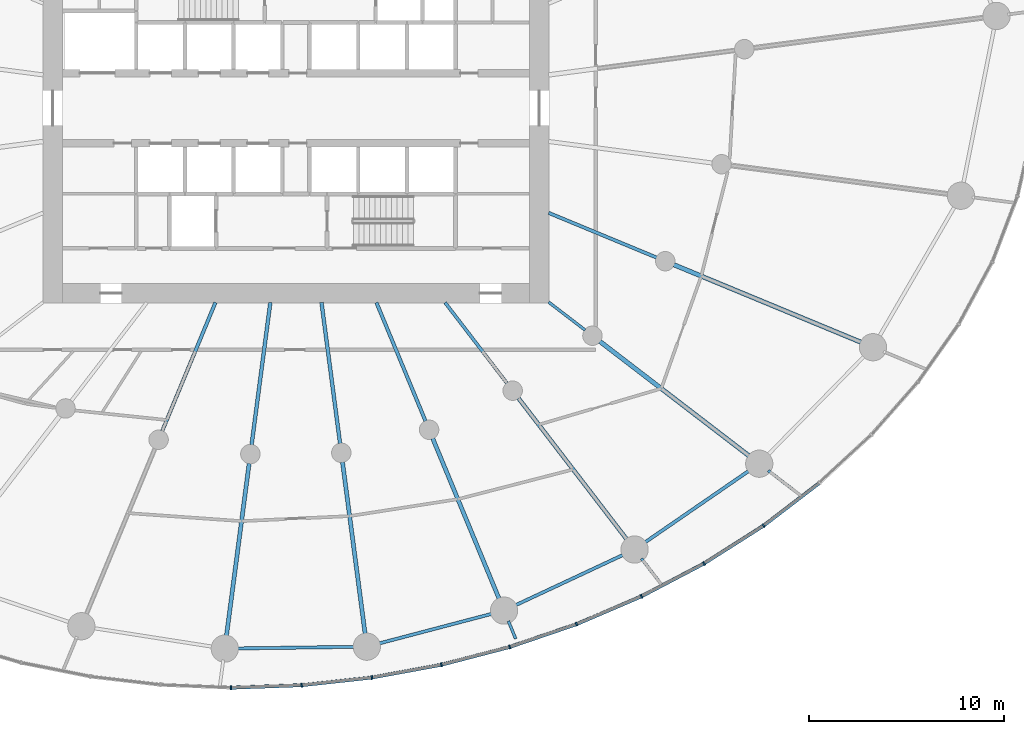
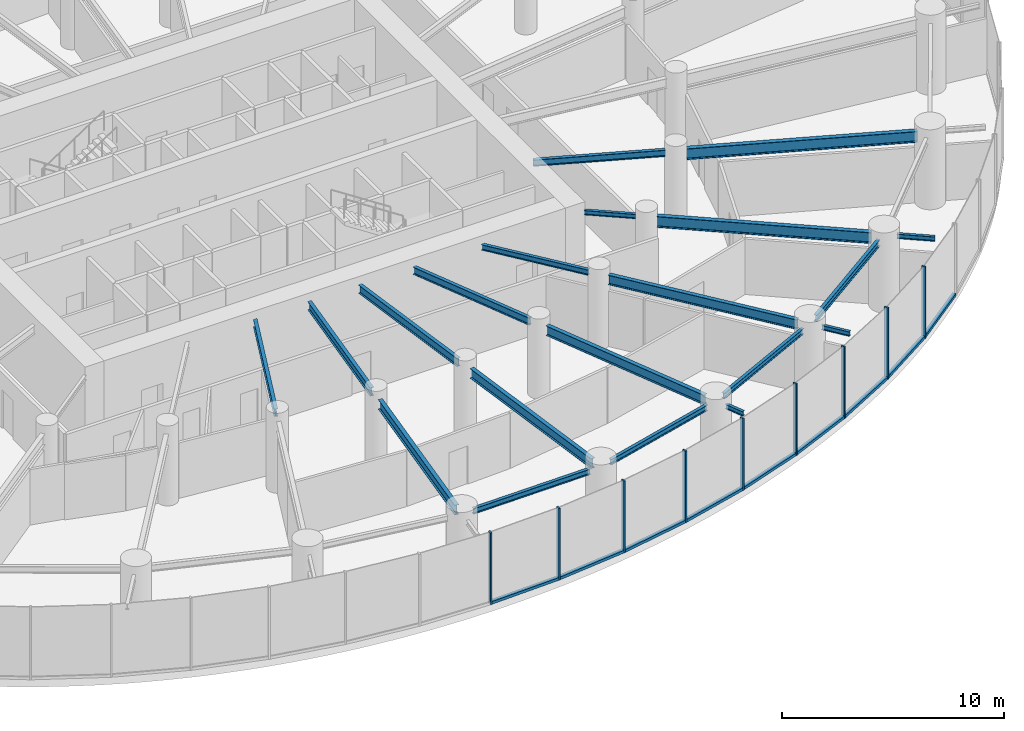
# One storey, part 4 of 19: 20 beams, 18 members, 2 elements without a shape of their own.
"""IFC4 building model written with IfcOpenShell, lengths in metres."""

from ifc_helpers import new_model, si_unit, direction, frame, origin, origin_2d, place, context, subcontext, project, spatial, rectangle, i_section, extrude, source, transform, mapped, material, layer, layer_set, material_profile, profile_set, type_object, element, aggregate, save


model = new_model("IFC4")

# Units and contexts
model_context = context("Model", 3, precision=1e-05, world=origin(), true_north=direction((0.0, 1.0)))
body_context = subcontext(model_context, "Body", "Model", "MODEL_VIEW")
ifc_project = project(units=[si_unit("LENGTHUNIT", "METRE"), si_unit("AREAUNIT", "SQUARE_METRE"), si_unit("VOLUMEUNIT", "CUBIC_METRE"), si_unit("PLANEANGLEUNIT", "RADIAN"), si_unit("MASSUNIT", "GRAM", prefix="KILO")], contexts=[model_context])

# Site, building, storey
site_placement = place(None, origin())
site = spatial("IfcSite", under=ifc_project, at=site_placement, CompositionType="ELEMENT")
building_placement = place(site_placement, origin())
building = spatial("IfcBuilding", under=site, at=building_placement, Name="Spindrift Exchange Tower", CompositionType="ELEMENT")
storey_placement = place(building_placement, frame((0.0, 0.0, 53.39990234375)))
storey = spatial("IfcBuildingStorey", under=building, at=storey_placement, Name="L12", CompositionType="ELEMENT", Elevation=53.39990234375)

# Beams
ifc_material_1 = material(Name="Steel Grade 300", Category="steel")
ifc_material_profile_1 = material_profile(ifc_material_1, i_section(OverallWidth=0.177978515625, OverallDepth=0.406005859375, WebThickness=0.0078125, FlangeThickness=0.0126953125, FilletRadius=0.013916015625, at=origin_2d()), Name="410UB59.7")
ifc_profile_set_1 = profile_set([ifc_material_profile_1], Name="Steel Grade 300")
beam_type_1 = type_object("IfcBeamType", Name="Floor Beam 410UB59.7 Steel Grade 300", PredefinedType="BEAM", material=ifc_profile_set_1)
shared_shape_1 = source(origin(), body_context, "Body", "SweptSolid", [
    extrude(i_section(OverallWidth=0.177978515625, OverallDepth=0.406005859375, WebThickness=0.0078125, FlangeThickness=0.0126953125, FilletRadius=0.013916015625, at=origin_2d()), origin(), (0.0, 0.0, 1.0), 7.150634765625),
])
beam_1_placement = place(storey_placement, frame((47.865478515625, 38.0185546875, 3.7470703125), z_axis=(-0.382665393358, -0.923887004306, 0.0), x_axis=(0.923887004306, -0.382665393358, 0.0)))
element("IfcBeam", 1, at=beam_1_placement, inside=storey, type_object=beam_type_1, Name="L12 radial beam R17A", PredefinedType="BEAM", context=body_context, shape_type="MappedRepresentation", body=[
    mapped(shared_shape_1, transform((0.0, 0.0, 0.0), scale=1.0)),
])
ifc_material_profile_2 = material_profile(ifc_material_1, i_section(OverallWidth=0.18994140625, OverallDepth=0.45703125, WebThickness=0.009033203125, FlangeThickness=0.014404296875, FilletRadius=0.013916015625, at=origin_2d()), Name="460UB74.6")
ifc_profile_set_2 = profile_set([ifc_material_profile_2], Name="Steel Grade 300")
beam_type_2 = type_object("IfcBeamType", Name="Floor Beam 460UB74.6 Steel Grade 300", PredefinedType="BEAM", material=ifc_profile_set_2)
shared_shape_2 = source(origin(), body_context, "Body", "SweptSolid", [
    extrude(i_section(OverallWidth=0.18994140625, OverallDepth=0.45703125, WebThickness=0.009033203125, FlangeThickness=0.014404296875, FilletRadius=0.013916015625, at=origin_2d()), origin(), (0.0, 0.0, 1.0), 7.374267578125),
])
beam_2_placement = place(storey_placement, frame((50.68603515625, 38.019775390625, 3.7216796875), z_axis=(-0.130539295622, -0.99144313619, 0.0), x_axis=(0.99144313619, -0.130539295622, 0.0)))
element("IfcBeam", 2, at=beam_2_placement, inside=storey, type_object=beam_type_2, Name="L12 radial beam R18A", PredefinedType="BEAM", context=body_context, shape_type="MappedRepresentation", body=[
    mapped(shared_shape_2, transform((0.0, 0.0, 0.0), scale=1.0)),
])
ifc_material_profile_3 = material_profile(ifc_material_1, i_section(OverallWidth=0.208984375, OverallDepth=0.532958984375, WebThickness=0.01025390625, FlangeThickness=0.015625, FilletRadius=0.013916015625, at=origin_2d()), Name="530UB92.4")
ifc_profile_set_3 = profile_set([ifc_material_profile_3], Name="Steel Grade 300")
beam_type_3 = type_object("IfcBeamType", Name="Floor Beam 530UB92.4 Steel Grade 300", PredefinedType="BEAM", material=ifc_profile_set_3)
shared_shape_3 = source(origin(), body_context, "Body", "SweptSolid", [
    extrude(i_section(OverallWidth=0.208984375, OverallDepth=0.532958984375, WebThickness=0.01025390625, FlangeThickness=0.015625, FilletRadius=0.013916015625, at=origin_2d()), origin(), (0.0, 0.0, 1.0), 9.020263671875),
])
beam_3_placement = place(storey_placement, frame((49.59814453125, 29.7568359375, 3.68359375), z_axis=(-0.13051122338, -0.991446831944, 0.0), x_axis=(0.991446831944, -0.13051122338, 0.0)))
element("IfcBeam", 3, at=beam_3_placement, inside=storey, type_object=beam_type_3, Name="L12 radial beam R18B", PredefinedType="BEAM", context=body_context, shape_type="MappedRepresentation", body=[
    mapped(shared_shape_3, transform((0.0, 0.0, 0.0), scale=1.0)),
])
shared_shape_4 = source(origin(), body_context, "Body", "SweptSolid", [
    extrude(i_section(OverallWidth=0.18994140625, OverallDepth=0.45703125, WebThickness=0.009033203125, FlangeThickness=0.014404296875, FilletRadius=0.013916015625, at=origin_2d()), origin(), (0.0, 0.0, 1.0), 7.3095703125),
])
beam_4_placement = place(storey_placement, frame((53.31396484375, 38.019775390625, 3.7216796875), z_axis=(0.130527087244, -0.991444743541, 0.0), x_axis=(0.991444743541, 0.130527087244, 0.0)))
element("IfcBeam", 4, at=beam_4_placement, inside=storey, type_object=beam_type_2, Name="L12 radial beam R19A", PredefinedType="BEAM", context=body_context, shape_type="MappedRepresentation", body=[
    mapped(shared_shape_4, transform((0.0, 0.0, 0.0), scale=1.0)),
])
shared_shape_5 = source(origin(), body_context, "Body", "SweptSolid", [
    extrude(i_section(OverallWidth=0.208984375, OverallDepth=0.532958984375, WebThickness=0.01025390625, FlangeThickness=0.015625, FilletRadius=0.013916015625, at=origin_2d()), origin(), (0.0, 0.0, 1.0), 8.98388671875),
])
beam_5_placement = place(storey_placement, frame((54.393310546875, 29.82080078125, 3.68359375), z_axis=(0.130524106785, -0.991445135924, 0.0), x_axis=(0.991445135924, 0.130524106785, 0.0)))
element("IfcBeam", 5, at=beam_5_placement, inside=storey, type_object=beam_type_3, Name="L12 radial beam R19B", PredefinedType="BEAM", context=body_context, shape_type="MappedRepresentation", body=[
    mapped(shared_shape_5, transform((0.0, 0.0, 0.0), scale=1.0)),
])
shared_shape_6 = source(origin(), body_context, "Body", "SweptSolid", [
    extrude(i_section(OverallWidth=0.177978515625, OverallDepth=0.406005859375, WebThickness=0.0078125, FlangeThickness=0.0126953125, FilletRadius=0.013916015625, at=origin_2d()), origin(), (0.0, 0.0, 1.0), 6.594482421875),
])
beam_6_placement = place(storey_placement, frame((56.134521484375, 38.0185546875, 3.7470703125), z_axis=(0.382692929746, -0.92387559851, 0.0), x_axis=(0.92387559851, 0.382692929746, 0.0)))
element("IfcBeam", 6, at=beam_6_placement, inside=storey, type_object=beam_type_1, Name="L12 radial beam R20A", PredefinedType="BEAM", context=body_context, shape_type="MappedRepresentation", body=[
    mapped(shared_shape_6, transform((0.0, 0.0, 0.0), scale=1.0)),
])
shared_shape_7 = source(origin(), body_context, "Body", "SweptSolid", [
    extrude(i_section(OverallWidth=0.208984375, OverallDepth=0.532958984375, WebThickness=0.01025390625, FlangeThickness=0.015625, FilletRadius=0.013916015625, at=origin_2d()), origin(), (0.0, 0.0, 1.0), 8.99658203125),
])
beam_7_placement = place(storey_placement, frame((59.025390625, 31.0390625, 3.68359375), z_axis=(0.382685731718, -0.923878580085, 0.0), x_axis=(0.923878580085, 0.382685731718, 0.0)))
element("IfcBeam", 7, at=beam_7_placement, inside=storey, type_object=beam_type_3, Name="L12 radial beam R20B", PredefinedType="BEAM", context=body_context, shape_type="MappedRepresentation", body=[
    mapped(shared_shape_7, transform((0.0, 0.0, 0.0), scale=1.0)),
])
ifc_material_profile_4 = material_profile(ifc_material_1, i_section(OverallWidth=0.1650390625, OverallDepth=0.303955078125, WebThickness=0.006103515625, FlangeThickness=0.01025390625, FilletRadius=0.011474609375, at=origin_2d()), Name="310UB40.4")
ifc_profile_set_4 = profile_set([ifc_material_profile_4], Name="Steel Grade 300")
beam_type_4 = type_object("IfcBeamType", Name="Floor Beam 310UB40.4 Steel Grade 300", PredefinedType="BEAM", material=ifc_profile_set_4)
shared_shape_8 = source(origin(), body_context, "Body", "SweptSolid", [
    extrude(i_section(OverallWidth=0.1650390625, OverallDepth=0.303955078125, WebThickness=0.006103515625, FlangeThickness=0.01025390625, FilletRadius=0.011474609375, at=origin_2d()), origin(), (0.0, 0.0, 1.0), 5.224609375),
])
beam_8_placement = place(storey_placement, frame((59.6611328125, 38.015869140625, 3.798095703125), z_axis=(0.608741499316, -0.793368632485, 0.0), x_axis=(0.793368632485, 0.608741499316, 0.0)))
element("IfcBeam", 8, at=beam_8_placement, inside=storey, type_object=beam_type_4, Name="L12 radial beam R21A", PredefinedType="BEAM", context=body_context, shape_type="MappedRepresentation", body=[
    mapped(shared_shape_8, transform((0.0, 0.0, 0.0), scale=1.0)),
])
shared_shape_9 = source(origin(), body_context, "Body", "SweptSolid", [
    extrude(i_section(OverallWidth=0.208984375, OverallDepth=0.532958984375, WebThickness=0.01025390625, FlangeThickness=0.015625, FilletRadius=0.013916015625, at=origin_2d()), origin(), (0.0, 0.0, 1.0), 9.227783203125),
])
beam_9_placement = place(storey_placement, frame((63.426025390625, 33.109375, 3.68359375), z_axis=(0.608747534474, -0.79336400175, 0.0), x_axis=(0.79336400175, 0.608747534474, 0.0)))
element("IfcBeam", 9, at=beam_9_placement, inside=storey, type_object=beam_type_3, Name="L12 radial beam R21B", PredefinedType="BEAM", context=body_context, shape_type="MappedRepresentation", body=[
    mapped(shared_shape_9, transform((0.0, 0.0, 0.0), scale=1.0)),
])
ifc_material_profile_5 = material_profile(ifc_material_1, i_section(OverallWidth=0.14599609375, OverallDepth=0.251953125, WebThickness=0.006103515625, FlangeThickness=0.008544921875, FilletRadius=0.011962890625, at=origin_2d()), Name="250UB31.4")
ifc_profile_set_5 = profile_set([ifc_material_profile_5], Name="Steel Grade 300")
beam_type_5 = type_object("IfcBeamType", Name="Floor Beam 250UB31.4 Steel Grade 300", PredefinedType="BEAM", material=ifc_profile_set_5)
shared_shape_10 = source(origin(), body_context, "Body", "SweptSolid", [
    extrude(i_section(OverallWidth=0.14599609375, OverallDepth=0.251953125, WebThickness=0.006103515625, FlangeThickness=0.008544921875, FilletRadius=0.011962890625, at=origin_2d()), origin(), (0.0, 0.0, 1.0), 2.353759765625),
])
beam_10_placement = place(storey_placement, frame((64.984130859375, 38.036865234375, 3.82421875), z_axis=(0.793367573265, -0.608742879787, 0.0), x_axis=(0.608742879787, 0.793367573265, 0.0)))
element("IfcBeam", 10, at=beam_10_placement, inside=storey, type_object=beam_type_5, Name="L12 radial beam R22A", PredefinedType="BEAM", context=body_context, shape_type="MappedRepresentation", body=[
    mapped(shared_shape_10, transform((0.0, 0.0, 0.0), scale=1.0)),
])
ifc_material_profile_6 = material_profile(ifc_material_1, i_section(OverallWidth=0.22802734375, OverallDepth=0.60693359375, WebThickness=0.01123046875, FlangeThickness=0.017333984375, FilletRadius=0.013916015625, at=origin_2d()), Name="610UB113")
ifc_profile_set_6 = profile_set([ifc_material_profile_6], Name="Steel Grade 300")
beam_type_6 = type_object("IfcBeamType", Name="Floor Beam 610UB113 Steel Grade 300", PredefinedType="BEAM", material=ifc_profile_set_6)
shared_shape_11 = source(origin(), body_context, "Body", "SweptSolid", [
    extrude(i_section(OverallWidth=0.22802734375, OverallDepth=0.60693359375, WebThickness=0.01123046875, FlangeThickness=0.017333984375, FilletRadius=0.013916015625, at=origin_2d()), origin(), (0.0, 0.0, 1.0), 9.73974609375),
])
beam_11_placement = place(storey_placement, frame((67.61328125, 36.01953125, 3.646484375), z_axis=(0.793352119621, -0.608763019814, 0.0), x_axis=(0.608763019814, 0.793352119621, 0.0)))
element("IfcBeam", 11, at=beam_11_placement, inside=storey, type_object=beam_type_6, Name="L12 radial beam R22B", PredefinedType="BEAM", context=body_context, shape_type="MappedRepresentation", body=[
    mapped(shared_shape_11, transform((0.0, 0.0, 0.0), scale=1.0)),
])
ifc_material_profile_7 = material_profile(ifc_material_1, i_section(OverallWidth=0.172119140625, OverallDepth=0.35888671875, WebThickness=0.008056640625, FlangeThickness=0.012939453125, FilletRadius=0.013916015625, at=origin_2d()), Name="360UB56.7")
ifc_profile_set_7 = profile_set([ifc_material_profile_7], Name="Steel Grade 300")
beam_type_7 = type_object("IfcBeamType", Name="Floor Beam 360UB56.7 Steel Grade 300", PredefinedType="BEAM", material=ifc_profile_set_7)
shared_shape_12 = source(origin(), body_context, "Body", "SweptSolid", [
    extrude(i_section(OverallWidth=0.172119140625, OverallDepth=0.35888671875, WebThickness=0.008056640625, FlangeThickness=0.012939453125, FilletRadius=0.013916015625, at=origin_2d()), origin(), (0.0, 0.0, 1.0), 6.004638671875),
])
beam_12_placement = place(storey_placement, frame((64.9814453125, 42.622802734375, 3.7705078125), z_axis=(0.923882044911, -0.38267736684, 0.0), x_axis=(0.38267736684, 0.923882044911, 0.0)))
element("IfcBeam", 12, at=beam_12_placement, inside=storey, type_object=beam_type_7, Name="L12 radial beam R23A", PredefinedType="BEAM", context=body_context, shape_type="MappedRepresentation", body=[
    mapped(shared_shape_12, transform((0.0, 0.0, 0.0), scale=1.0)),
])
shared_shape_13 = source(origin(), body_context, "Body", "SweptSolid", [
    extrude(i_section(OverallWidth=0.22802734375, OverallDepth=0.60693359375, WebThickness=0.01123046875, FlangeThickness=0.017333984375, FilletRadius=0.013916015625, at=origin_2d()), origin(), (0.0, 0.0, 1.0), 10.4912109375),
])
beam_13_placement = place(storey_placement, frame((71.416015625, 39.95751953125, 3.646484375), z_axis=(0.923885231151, -0.382669674342, 0.0), x_axis=(0.382669674342, 0.923885231151, 0.0)))
element("IfcBeam", 13, at=beam_13_placement, inside=storey, type_object=beam_type_6, Name="L12 radial beam R23B", PredefinedType="BEAM", context=body_context, shape_type="MappedRepresentation", body=[
    mapped(shared_shape_13, transform((0.0, 0.0, 0.0), scale=1.0)),
])
ifc_material_profile_8 = material_profile(ifc_material_1, i_section(OverallWidth=0.1650390625, OverallDepth=0.303955078125, WebThickness=0.006103515625, FlangeThickness=0.01025390625, FilletRadius=0.011474609375, at=origin_2d()), Name="310UB40.4")
ifc_profile_set_8 = profile_set([ifc_material_profile_8], Name="Steel Grade 300")
beam_type_8 = type_object("IfcBeamType", Name="Edge Beam 310UB40.4 Steel Grade 300", PredefinedType="SPANDREL", material=ifc_profile_set_8)
shared_shape_14 = source(origin(), body_context, "Body", "SweptSolid", [
    extrude(i_section(OverallWidth=0.1650390625, OverallDepth=0.303955078125, WebThickness=0.006103515625, FlangeThickness=0.01025390625, FilletRadius=0.011474609375, at=origin_2d()), origin(), (0.0, 0.0, 1.0), 6.13720703125),
])
beam_14_placement = place(storey_placement, frame((48.925048828125, 20.24658203125, 3.798095703125), z_axis=(0.999905820907, 0.013724041543, 0.0), x_axis=(-0.013724041543, 0.999905820907, 0.0)))
element("IfcBeam", 14, at=beam_14_placement, inside=storey, type_object=beam_type_8, Name="L12 edge beam E18", PredefinedType="SPANDREL", context=body_context, shape_type="MappedRepresentation", body=[
    mapped(shared_shape_14, transform((0.0, 0.0, 0.0), scale=1.0)),
])
shared_shape_15 = source(origin(), body_context, "Body", "SweptSolid", [
    extrude(i_section(OverallWidth=0.1650390625, OverallDepth=0.303955078125, WebThickness=0.006103515625, FlangeThickness=0.01025390625, FilletRadius=0.011474609375, at=origin_2d()), origin(), (0.0, 0.0, 1.0), 6.128173828125),
])
beam_15_placement = place(storey_placement, frame((56.20263671875, 20.486083984375, 3.798095703125), z_axis=(0.967147261855, 0.254216785216, 0.0), x_axis=(-0.254216785216, 0.967147261855, 0.0)))
element("IfcBeam", 15, at=beam_15_placement, inside=storey, type_object=beam_type_8, Name="L12 edge beam E19", PredefinedType="SPANDREL", context=body_context, shape_type="MappedRepresentation", body=[
    mapped(shared_shape_15, transform((0.0, 0.0, 0.0), scale=1.0)),
])
shared_shape_16 = source(origin(), body_context, "Body", "SweptSolid", [
    extrude(i_section(OverallWidth=0.1650390625, OverallDepth=0.303955078125, WebThickness=0.006103515625, FlangeThickness=0.01025390625, FilletRadius=0.011474609375, at=origin_2d()), origin(), (0.0, 0.0, 1.0), 6.243408203125),
])
beam_16_placement = place(storey_placement, frame((63.2158203125, 22.43701171875, 3.798095703125), z_axis=(0.905791146607, 0.423724437257, 0.0), x_axis=(-0.423724437257, 0.905791146607, 0.0)))
element("IfcBeam", 16, at=beam_16_placement, inside=storey, type_object=beam_type_8, Name="L12 edge beam E20", PredefinedType="SPANDREL", context=body_context, shape_type="MappedRepresentation", body=[
    mapped(shared_shape_16, transform((0.0, 0.0, 0.0), scale=1.0)),
])
ifc_material_profile_9 = material_profile(ifc_material_1, i_section(OverallWidth=0.172119140625, OverallDepth=0.35888671875, WebThickness=0.008056640625, FlangeThickness=0.012939453125, FilletRadius=0.013916015625, at=origin_2d()), Name="360UB56.7")
ifc_profile_set_9 = profile_set([ifc_material_profile_9], Name="Steel Grade 300")
beam_type_9 = type_object("IfcBeamType", Name="Edge Beam 360UB56.7 Steel Grade 300", PredefinedType="SPANDREL", material=ifc_profile_set_9)
shared_shape_17 = source(origin(), body_context, "Body", "SweptSolid", [
    extrude(i_section(OverallWidth=0.172119140625, OverallDepth=0.35888671875, WebThickness=0.008056640625, FlangeThickness=0.012939453125, FilletRadius=0.013916015625, at=origin_2d()), origin(), (0.0, 0.0, 1.0), 6.614990234375),
])
beam_17_placement = place(storey_placement, frame((69.874267578125, 25.6572265625, 3.7705078125), z_axis=(0.823690708835, 0.567039342708, 0.0), x_axis=(-0.567039342708, 0.823690708835, 0.0)))
element("IfcBeam", 17, at=beam_17_placement, inside=storey, type_object=beam_type_9, Name="L12 edge beam E21", PredefinedType="SPANDREL", context=body_context, shape_type="MappedRepresentation", body=[
    mapped(shared_shape_17, transform((0.0, 0.0, 0.0), scale=1.0)),
])
ifc_material_profile_10 = material_profile(ifc_material_1, i_section(OverallWidth=0.14599609375, OverallDepth=0.251953125, WebThickness=0.006103515625, FlangeThickness=0.008544921875, FilletRadius=0.011962890625, at=origin_2d()), Name="250UB31.4")
ifc_profile_set_10 = profile_set([ifc_material_profile_10], Name="Steel Grade 300")
beam_type_10 = type_object("IfcBeamType", Name="Cantilever Beam 250UB31.4 Steel Grade 300", PredefinedType="BEAM", material=ifc_profile_set_10)
shared_shape_18 = source(origin(), body_context, "Body", "SweptSolid", [
    extrude(i_section(OverallWidth=0.14599609375, OverallDepth=0.251953125, WebThickness=0.006103515625, FlangeThickness=0.008544921875, FilletRadius=0.011962890625, at=origin_2d()), origin(), (0.0, 0.0, 1.0), 0.98974609375),
])
beam_18_placement = place(storey_placement, frame((62.912109375, 21.655517578125, 3.82421875), z_axis=(0.382845596714, -0.923812345164, 0.0), x_axis=(0.923812345164, 0.382845596714, 0.0)))
element("IfcBeam", 18, at=beam_18_placement, inside=storey, type_object=beam_type_10, Name="L12 cantilever beam R20T", PredefinedType="BEAM", context=body_context, shape_type="MappedRepresentation", body=[
    mapped(shared_shape_18, transform((0.0, 0.0, 0.0), scale=1.0)),
])
shared_shape_19 = source(origin(), body_context, "Body", "SweptSolid", [
    extrude(i_section(OverallWidth=0.14599609375, OverallDepth=0.251953125, WebThickness=0.006103515625, FlangeThickness=0.008544921875, FilletRadius=0.011962890625, at=origin_2d()), origin(), (0.0, 0.0, 1.0), 1.373046875),
])
beam_19_placement = place(storey_placement, frame((69.749755859375, 24.8681640625, 3.82421875), z_axis=(0.608782353337, -0.793337284051, 0.0), x_axis=(0.793337284051, 0.608782353337, 0.0)))
element("IfcBeam", 19, at=beam_19_placement, inside=storey, type_object=beam_type_10, Name="L12 cantilever beam R21T", PredefinedType="BEAM", context=body_context, shape_type="MappedRepresentation", body=[
    mapped(shared_shape_19, transform((0.0, 0.0, 0.0), scale=1.0)),
])
shared_shape_20 = source(origin(), body_context, "Body", "SweptSolid", [
    extrude(i_section(OverallWidth=0.14599609375, OverallDepth=0.251953125, WebThickness=0.006103515625, FlangeThickness=0.008544921875, FilletRadius=0.011962890625, at=origin_2d()), origin(), (0.0, 0.0, 1.0), 1.7275390625),
])
beam_20_placement = place(storey_placement, frame((76.2607421875, 29.384033203125, 3.82421875), z_axis=(0.793406147217, -0.608692603502, 0.0), x_axis=(0.608692603502, 0.793406147217, 0.0)))
element("IfcBeam", 20, at=beam_20_placement, inside=storey, type_object=beam_type_10, Name="L12 cantilever beam R22T", PredefinedType="BEAM", context=body_context, shape_type="MappedRepresentation", body=[
    mapped(shared_shape_20, transform((0.0, 0.0, 0.0), scale=1.0)),
])

# Curtain wall, member
ifc_material_2 = material(Name="Fritted laminated glass with bronze frame", Category="glass")
ifc_layer = layer(ifc_material_2, 0.199951171875)
ifc_layer_set = layer_set([ifc_layer], Name="ZONE 1 BRONZE FRITTED WALL")
curtain_wall_type = type_object("IfcCurtainWallType", Name="ZONE 1 BRONZE FRITTED WALL", PredefinedType="NOTDEFINED", material=ifc_layer_set)
curtain_wall_1_placement = place(storey_placement, origin())
curtain_wall_1 = element("IfcCurtainWall", 21, at=curtain_wall_1_placement, inside=storey, type_object=curtain_wall_type, Name="L12 Zone 1 Bronze Fritted Wall run 9", PredefinedType="NOTDEFINED")
ifc_material_3 = material(Name="Bronze anodised aluminium", Category="aluminium")
ifc_material_profile_11 = material_profile(ifc_material_3, rectangle(XDim=0.179931640625, YDim=0.14990234375, at=origin_2d()), Name="ZONE 1 BRONZE FRITTED WALL TRANSOM 180X150")
ifc_profile_set_11 = profile_set([ifc_material_profile_11], Name="Bronze anodised aluminium")
member_type_1 = type_object("IfcMemberType", Name="ZONE 1 BRONZE FRITTED WALL TRANSOM 180X150", PredefinedType="USERDEFINED", material=ifc_profile_set_11)
shared_shape_21 = source(origin(), body_context, "Body", "SweptSolid", [
    extrude(rectangle(XDim=0.179931640625, YDim=0.14990234375, at=origin_2d()), origin(), (0.0, 0.0, 1.0), 3.546875),
])
member_1_placement = place(storey_placement, frame((72.994384765625, 24.629638671875, 0.0751953125), z_axis=(0.844140132911, 0.536122594198, 0.0), x_axis=(-0.536122594198, 0.844140132911, 0.0)))
member_1 = element("IfcMember", 22, at=member_1_placement, type_object=member_type_1, Name="L12 transom CW-1.50", ObjectType="TRANSOM", PredefinedType="USERDEFINED", context=body_context, shape_type="MappedRepresentation", body=[
    mapped(shared_shape_21, transform((0.0, 0.0, 0.0), scale=1.0)),
])

# Curtain wall, members
curtain_wall_2_placement = place(storey_placement, origin())
curtain_wall_2 = element("IfcCurtainWall", 23, at=curtain_wall_2_placement, inside=storey, type_object=curtain_wall_type, Name="L12 Zone 1 Bronze Fritted Wall run 8", PredefinedType="NOTDEFINED")
shared_shape_22 = source(origin(), body_context, "Body", "SweptSolid", [
    extrude(rectangle(XDim=0.179931640625, YDim=0.14990234375, at=origin_2d()), origin(), (0.0, 0.0, 1.0), 3.54736328125),
])
member_2_placement = place(storey_placement, frame((48.712158203125, 18.2333984375, 0.0751953125), z_axis=(0.999378970594, 0.035237382614, 0.0), x_axis=(-0.035237382614, 0.999378970594, 0.0)))
member_2 = element("IfcMember", 24, at=member_2_placement, type_object=member_type_1, Name="L12 transom CW-1.43", ObjectType="TRANSOM", PredefinedType="USERDEFINED", context=body_context, shape_type="MappedRepresentation", body=[
    mapped(shared_shape_22, transform((0.0, 0.0, 0.0), scale=1.0)),
])
member_3_placement = place(storey_placement, frame((52.337158203125, 18.3642578125, 0.0751953125), z_axis=(0.994092594493, 0.108535310268, 0.0), x_axis=(-0.108535310268, 0.994092594493, 0.0)))
member_3 = element("IfcMember", 25, at=member_3_placement, type_object=member_type_1, Name="L12 transom CW-1.44", ObjectType="TRANSOM", PredefinedType="USERDEFINED", context=body_context, shape_type="MappedRepresentation", body=[
    mapped(shared_shape_22, transform((0.0, 0.0, 0.0), scale=1.0)),
])
member_4_placement = place(storey_placement, frame((55.942626953125, 18.7607421875, 0.0751953125), z_axis=(0.983545668846, 0.180659672572, 0.0), x_axis=(-0.180659672572, 0.983545668846, 0.0)))
member_4 = element("IfcMember", 26, at=member_4_placement, type_object=member_type_1, Name="L12 transom CW-1.45", ObjectType="TRANSOM", PredefinedType="USERDEFINED", context=body_context, shape_type="MappedRepresentation", body=[
    mapped(shared_shape_22, transform((0.0, 0.0, 0.0), scale=1.0)),
])
member_5_placement = place(storey_placement, frame((59.509765625, 19.4189453125, 0.0751953125), z_axis=(0.967736297398, 0.251965193427, 0.0), x_axis=(-0.251965193427, 0.967736297398, 0.0)))
member_5 = element("IfcMember", 27, at=member_5_placement, type_object=member_type_1, Name="L12 transom CW-1.46", ObjectType="TRANSOM", PredefinedType="USERDEFINED", context=body_context, shape_type="MappedRepresentation", body=[
    mapped(shared_shape_22, transform((0.0, 0.0, 0.0), scale=1.0)),
])
member_6_placement = place(storey_placement, frame((63.019287109375, 20.335693359375, 0.0751953125), z_axis=(0.946429904593, 0.32290933045, 0.0), x_axis=(-0.32290933045, 0.946429904593, 0.0)))
member_6 = element("IfcMember", 28, at=member_6_placement, type_object=member_type_1, Name="L12 transom CW-1.47", ObjectType="TRANSOM", PredefinedType="USERDEFINED", context=body_context, shape_type="MappedRepresentation", body=[
    mapped(shared_shape_22, transform((0.0, 0.0, 0.0), scale=1.0)),
])
member_7_placement = place(storey_placement, frame((66.451171875, 21.509765625, 0.0751953125), z_axis=(0.919219771092, 0.393744857024, 0.0), x_axis=(-0.393744857024, 0.919219771092, 0.0)))
member_7 = element("IfcMember", 29, at=member_7_placement, type_object=member_type_1, Name="L12 transom CW-1.48", ObjectType="TRANSOM", PredefinedType="USERDEFINED", context=body_context, shape_type="MappedRepresentation", body=[
    mapped(shared_shape_22, transform((0.0, 0.0, 0.0), scale=1.0)),
])

# Member
member_8_placement = place(storey_placement, frame((69.7841796875, 22.940673828125, 0.0751953125), z_axis=(0.885401443411, 0.464827154979, 0.0), x_axis=(-0.464827154979, 0.885401443411, 0.0)))
member_8 = element("IfcMember", 30, at=member_8_placement, type_object=member_type_1, Name="L12 transom CW-1.49", ObjectType="TRANSOM", PredefinedType="USERDEFINED", context=body_context, shape_type="MappedRepresentation", body=[
    mapped(shared_shape_22, transform((0.0, 0.0, 0.0), scale=1.0)),
])

shared_shape_23 = source(origin(), body_context, "Body", "SweptSolid", [
    extrude(rectangle(XDim=0.179931640625, YDim=0.14990234375, at=origin_2d()), origin(), (0.0, 0.0, 1.0), 3.547119140625),
])
member_9_placement = place(storey_placement, frame((76.053955078125, 26.576904296875, 0.0751953125), z_axis=(0.79418979363, 0.607669788367, 0.0), x_axis=(-0.607669788367, 0.79418979363, 0.0)))
member_9 = element("IfcMember", 31, at=member_9_placement, type_object=member_type_1, Name="L12 transom CW-1.51", ObjectType="TRANSOM", PredefinedType="USERDEFINED", context=body_context, shape_type="MappedRepresentation", body=[
    mapped(shared_shape_23, transform((0.0, 0.0, 0.0), scale=1.0)),
])

ifc_material_profile_12 = material_profile(ifc_material_3, rectangle(XDim=0.080078125, YDim=0.199951171875, at=origin_2d()), Name="ZONE 1 BRONZE FRITTED WALL MULLION 80X200")
ifc_profile_set_12 = profile_set([ifc_material_profile_12], Name="Bronze anodised aluminium")
member_type_2 = type_object("IfcMemberType", Name="ZONE 1 BRONZE FRITTED WALL MULLION 80X200", PredefinedType="MULLION", material=ifc_profile_set_12)
shared_shape_24 = source(origin(), body_context, "Body", "SweptSolid", [
    extrude(rectangle(XDim=0.080078125, YDim=0.199951171875, at=origin_2d()), origin(), (0.0, 0.0, 1.0), 3.9501953125),
])
member_10_placement = place(storey_placement, frame((48.672119140625, 18.23193359375, 0.0), z_axis=(0.0, 0.0, 1.0), x_axis=(0.999997684621, -0.002151918167, 0.0)))
member_10 = element("IfcMember", 32, at=member_10_placement, type_object=member_type_2, Name="L12 mullion CW-1.43", PredefinedType="MULLION", context=body_context, shape_type="MappedRepresentation", body=[
    mapped(shared_shape_24, transform((0.0, 0.0, 0.0), scale=1.0)),
])

member_11_placement = place(storey_placement, frame((52.29736328125, 18.35986328125, 0.0), z_axis=(0.0, 0.0, 1.0), x_axis=(0.997407568275, 0.071959313135, 0.0)))
member_11 = element("IfcMember", 33, at=member_11_placement, type_object=member_type_2, Name="L12 mullion CW-1.44", PredefinedType="MULLION", context=body_context, shape_type="MappedRepresentation", body=[
    mapped(shared_shape_24, transform((0.0, 0.0, 0.0), scale=1.0)),
])

member_12_placement = place(storey_placement, frame((55.9033203125, 18.753662109375, 0.0), z_axis=(0.0, 0.0, 1.0), x_axis=(0.98947738713, 0.144687595732, 0.0)))
member_12 = element("IfcMember", 34, at=member_12_placement, type_object=member_type_2, Name="L12 mullion CW-1.45", PredefinedType="MULLION", context=body_context, shape_type="MappedRepresentation", body=[
    mapped(shared_shape_24, transform((0.0, 0.0, 0.0), scale=1.0)),
])

member_13_placement = place(storey_placement, frame((59.47119140625, 19.408935546875, 0.0), z_axis=(0.0, 0.0, 1.0), x_axis=(0.976295156842, 0.216443449256, 0.0)))
member_13 = element("IfcMember", 35, at=member_13_placement, type_object=member_type_2, Name="L12 mullion CW-1.46", PredefinedType="MULLION", context=body_context, shape_type="MappedRepresentation", body=[
    mapped(shared_shape_24, transform((0.0, 0.0, 0.0), scale=1.0)),
])

member_14_placement = place(storey_placement, frame((62.9814453125, 20.32275390625, 0.0), z_axis=(0.0, 0.0, 1.0), x_axis=(0.957747377967, 0.287610778654, 0.0)))
member_14 = element("IfcMember", 36, at=member_14_placement, type_object=member_type_2, Name="L12 mullion CW-1.47", PredefinedType="MULLION", context=body_context, shape_type="MappedRepresentation", body=[
    mapped(shared_shape_24, transform((0.0, 0.0, 0.0), scale=1.0)),
])

member_15_placement = place(storey_placement, frame((66.41455078125, 21.493896484375, 0.0), z_axis=(0.0, 0.0, 1.0), x_axis=(0.933504638559, 0.358565321508, 0.0)))
member_15 = element("IfcMember", 37, at=member_15_placement, type_object=member_type_2, Name="L12 mullion CW-1.48", PredefinedType="MULLION", context=body_context, shape_type="MappedRepresentation", body=[
    mapped(shared_shape_24, transform((0.0, 0.0, 0.0), scale=1.0)),
])

aggregate(curtain_wall_2, [member_10, member_2, member_11, member_3, member_12, member_4, member_13, member_5, member_14, member_6, member_15, member_7])

member_16_placement = place(storey_placement, frame((69.748779296875, 22.922119140625, 0.0), z_axis=(0.0, 0.0, 1.0), x_axis=(0.903023381989, 0.42959140073, 0.0)))
member_16 = element("IfcMember", 38, at=member_16_placement, type_object=member_type_2, Name="L12 mullion CW-1.49", PredefinedType="MULLION", context=body_context, shape_type="MappedRepresentation", body=[
    mapped(shared_shape_24, transform((0.0, 0.0, 0.0), scale=1.0)),
])

member_17_placement = place(storey_placement, frame((72.96044921875, 24.608154296875, 0.0), z_axis=(0.0, 0.0, 1.0), x_axis=(0.865517113146, 0.500879353588, 0.0)))
member_17 = element("IfcMember", 39, at=member_17_placement, type_object=member_type_2, Name="L12 mullion CW-1.50", PredefinedType="MULLION", context=body_context, shape_type="MappedRepresentation", body=[
    mapped(shared_shape_24, transform((0.0, 0.0, 0.0), scale=1.0)),
])

member_18_placement = place(storey_placement, frame((76.022216796875, 26.552734375, 0.0), z_axis=(0.0, 0.0, 1.0), x_axis=(0.819944441963, 0.572443108173, 0.0)))
member_18 = element("IfcMember", 40, at=member_18_placement, type_object=member_type_2, Name="L12 mullion CW-1.51", PredefinedType="MULLION", context=body_context, shape_type="MappedRepresentation", body=[
    mapped(shared_shape_24, transform((0.0, 0.0, 0.0), scale=1.0)),
])

aggregate(curtain_wall_1, [member_16, member_8, member_17, member_1, member_18, member_9])

save(model, "model.ifc")
